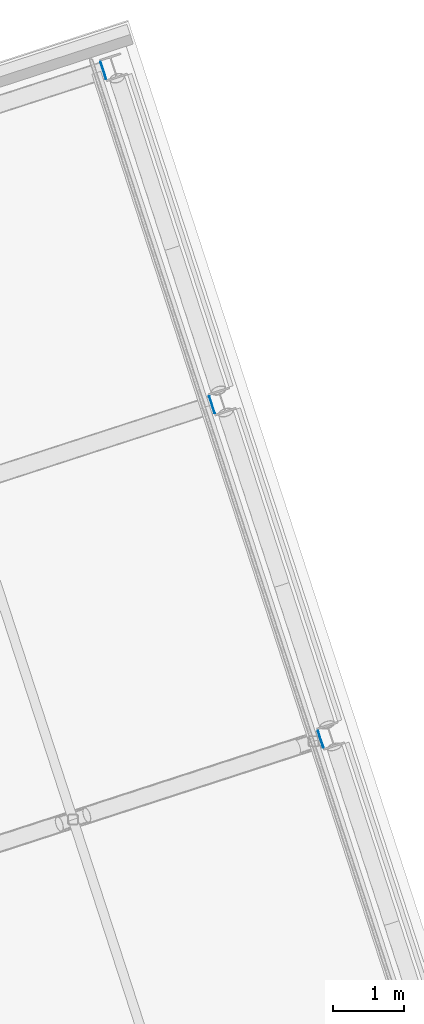
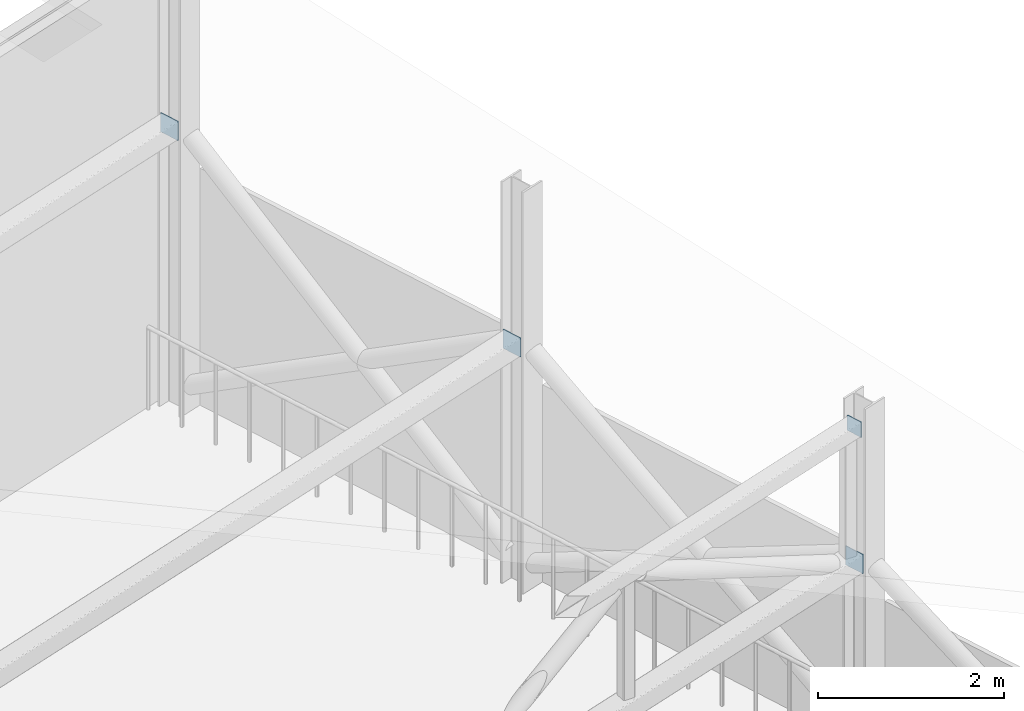
# One storey, part 42 of 49: 4 plates.
"""IFC4 building model written with IfcOpenShell, lengths in metres."""

from ifc_helpers import new_model, si_unit, direction, frame, origin, place, context, subcontext, project, spatial, polyline, outline, extrude, material, layer, layer_set, type_object, element, save


model = new_model("IFC4")

# Units and contexts
model_context = context("Model", 3, precision=1e-05, world=origin(), true_north=direction((0.0, 1.0)))
body_context = subcontext(model_context, "Body", "Model", "MODEL_VIEW")
ifc_project = project(units=[si_unit("LENGTHUNIT", "METRE"), si_unit("AREAUNIT", "SQUARE_METRE"), si_unit("VOLUMEUNIT", "CUBIC_METRE"), si_unit("PLANEANGLEUNIT", "RADIAN"), si_unit("MASSUNIT", "GRAM", prefix="KILO")], contexts=[model_context])

# Site, building, storey
site_placement = place(None, origin())
site = spatial("IfcSite", under=ifc_project, at=site_placement, CompositionType="ELEMENT")
building_placement = place(site_placement, origin())
building = spatial("IfcBuilding", under=site, at=building_placement, Name="Tuart Plaza Theatre", CompositionType="ELEMENT")
storey_placement = place(building_placement, frame((0.0, 0.0, 29.5)))
storey = spatial("IfcBuildingStorey", under=building, at=storey_placement, Name="L07", CompositionType="ELEMENT", Elevation=29.5)

# Plates
ifc_material = material(Name="Steel Grade C350L0", Category="steel")
ifc_layer = layer(ifc_material, 0.010009765625)
ifc_layer_set = layer_set([ifc_layer], Name="PLATE End cap 10 Steel Grade C350L0")
plate_type = type_object("IfcPlateType", Name="PLATE End cap 10 Steel Grade C350L0", PredefinedType="SHEET", material=ifc_layer_set)
plate_1_placement = place(storey_placement, frame((65.707275390625, 87.032958984375, 2.5703125), z_axis=(0.951191832008, 0.308600224758, 0.0), x_axis=(-0.308600224758, 0.951191832008, 0.0)))
element("IfcPlate", 1, at=plate_1_placement, inside=storey, type_object=plate_type, Name="EP22", PredefinedType="SHEET", context=body_context, shape_type="SweptSolid", body=[
    extrude(outline(polyline([(0.0, 0.0), (0.2499947547362342, 0.0), (0.2499947547362342, 0.25), (0.0, 0.25), (0.0, 0.0)])), origin(), (0.0, 0.0, -1.0), 0.010009765625),
])
plate_2_placement = place(storey_placement, frame((65.69970703125, 87.056640625, 4.34521484375), z_axis=(0.950737659293, 0.309996618049, 0.0), x_axis=(-0.309996618049, 0.950737659293, 0.0)))
element("IfcPlate", 2, at=plate_2_placement, inside=storey, type_object=plate_type, Name="EP24", PredefinedType="SHEET", context=body_context, shape_type="SweptSolid", body=[
    extrude(outline(polyline([(0.0, 0.0), (0.2000399847592274, 0.0), (0.2000399847592274, 0.199951171875), (0.0, 0.199951171875), (0.0, 0.0)])), origin(), (0.0, 0.0, -1.0), 0.010009765625),
])
for number, where, z_axis, x_axis, name in (
    (3, (64.177734375, 91.74072265625, 3.090576171875), (0.95090484413, 0.309483404096, 0.0), (-0.309483404096, 0.95090484413, 0.0), "EP26"),
    (4, (62.648193359375, 96.4482421875, 3.61083984375), (0.95090484413, 0.309483404096, 0.0), (-0.309483404096, 0.95090484413, 0.0), "EP30"),
):
    element("IfcPlate", number, at=place(storey_placement, frame(where, z_axis=z_axis, x_axis=x_axis)), inside=storey, type_object=plate_type, Name=name, PredefinedType="SHEET", context=body_context, shape_type="SweptSolid", body=[
        extrude(outline(polyline([(0.0, 0.0), (0.25007020441422584, 0.0), (0.25007020441422584, 0.25), (0.0, 0.25), (0.0, 0.0)])), origin(), (0.0, 0.0, -1.0), 0.010009765625),
    ])

save(model, "model.ifc")
